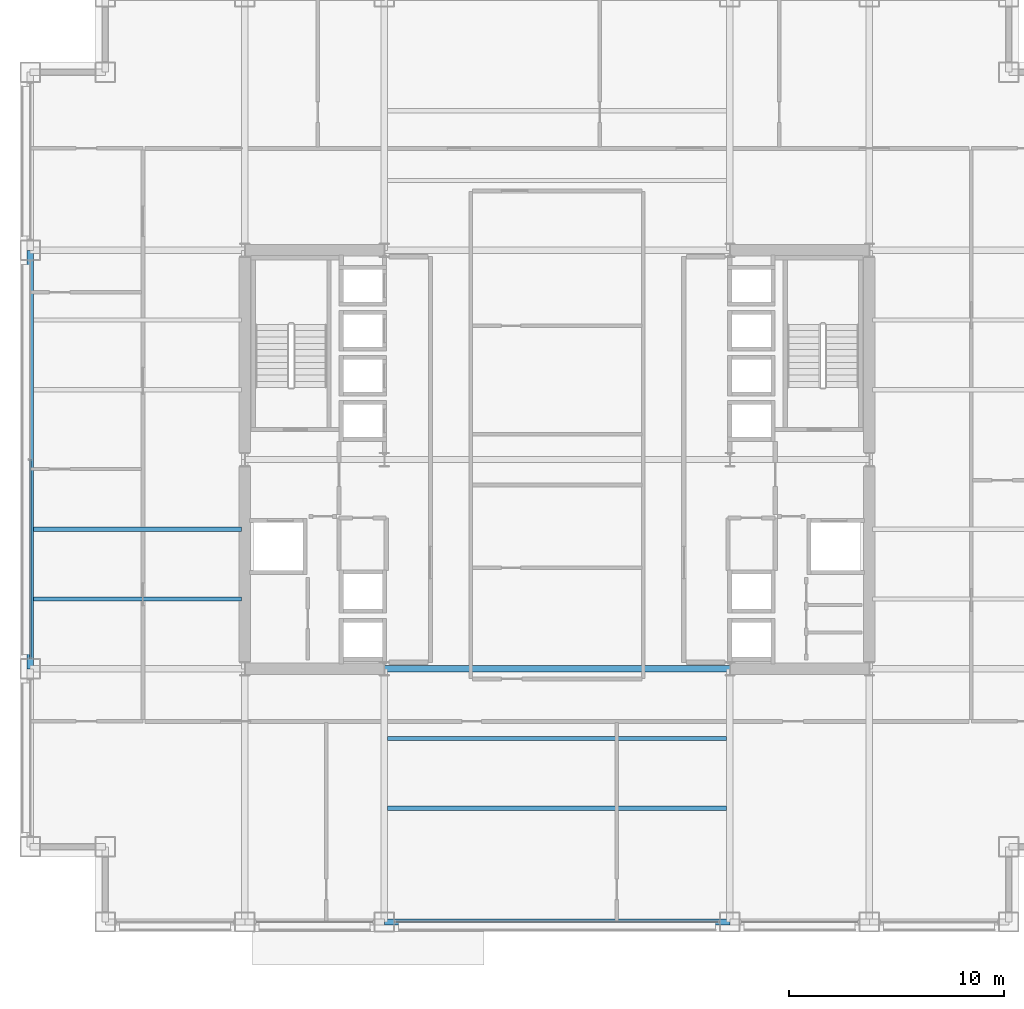
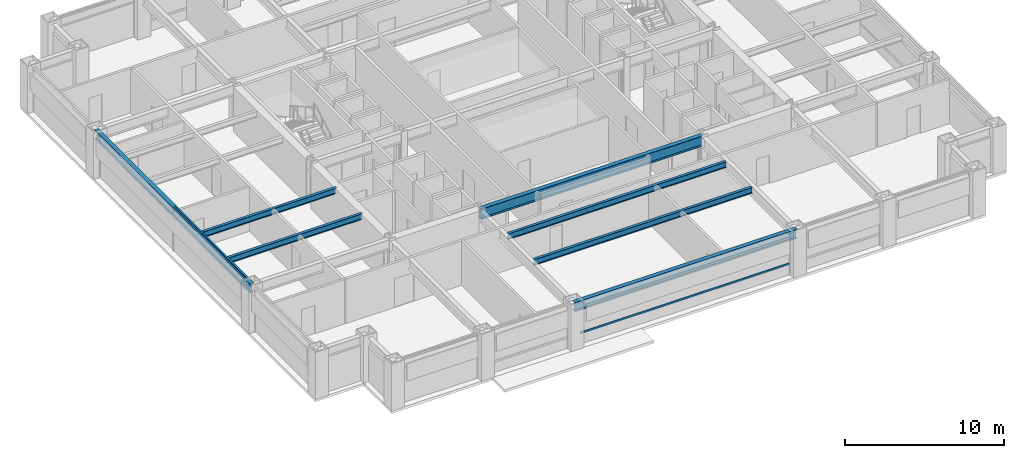
# One storey, part 6 of 28: 7 beams, 2 members, 2 elements without a shape of their own.
"""IFC4 building model written with IfcOpenShell, lengths in metres."""

import ifcopenshell
import ifcopenshell.guid

model = None  # the IFC model being written
_history = None  # IfcOwnerHistory: only IFC2X3 demands one
_inside = {}  # id of a spatial element -> (the spatial element, [elements in it])
_under = {}  # id of a project, library or spatial element -> (it, [spatial elements below it])
_declared = {}  # id of a project -> (the project, [libraries it declares])
_typed = {}  # id of a type object -> (the type object, [elements of that type])
_made_of = {}  # id of a material, layer set ... -> (it, [elements and type objects made of it])


def new_model(schema):
    """Start an empty IFC model of exactly this schema.

    Asked for "IFC4X3", IfcOpenShell would pick the latest addendum, in which some entities
    have other attributes; the version numbers below select the first issue.
    IFC2X3 requires an IfcOwnerHistory on every rooted entity: one is made here for all.
    """
    global model, _history
    if schema == "IFC4X3":
        model = ifcopenshell.file(schema_version=(4, 3, 0, 0))
    else:
        model = ifcopenshell.file(schema=schema)
    _inside.clear()
    _under.clear()
    _declared.clear()
    _typed.clear()
    _made_of.clear()
    _history = None
    if model.schema == "IFC2X3":
        org = make("IfcOrganization", Name="unknown")
        user = make(
            "IfcPersonAndOrganization",
            ThePerson=make("IfcPerson", FamilyName="unknown"),
            TheOrganization=org,
        )
        app = make(
            "IfcApplication",
            ApplicationDeveloper=org,
            Version="unknown",
            ApplicationFullName="unknown",
            ApplicationIdentifier="unknown",
        )
        _history = make(
            "IfcOwnerHistory",
            OwningUser=user,
            OwningApplication=app,
            ChangeAction="ADDED",
            CreationDate=0,
        )
    return model


def make(cls, **values):
    """One entity of the class cls with the attributes given. An attribute that is None is left unset."""
    return model.create_entity(
        cls, **{name: value for name, value in values.items() if value is not None}
    )


def rooted(cls, **values):
    """An entity with a GlobalId (a new one), such as an element, a storey or a relation."""
    return make(cls, GlobalId=ifcopenshell.guid.new(), OwnerHistory=_history, **values)


def si_unit(unit_type, name, prefix=None):
    """IfcSIUnit, for example si_unit("LENGTHUNIT", "METRE", prefix="MILLI")."""
    return make("IfcSIUnit", UnitType=unit_type, Prefix=prefix, Name=name)


def assignment(units):
    """IfcUnitAssignment: the units of a project."""
    return None if units is None else make("IfcUnitAssignment", Units=units)


def point(xyz):
    """IfcCartesianPoint."""
    return None if xyz is None else make("IfcCartesianPoint", Coordinates=xyz)


def direction(xyz):
    """IfcDirection."""
    return None if xyz is None else make("IfcDirection", DirectionRatios=xyz)


def frame(location, z_axis=None, x_axis=None):
    """IfcAxis2Placement3D, a coordinate frame: its origin and axes. An axis left out is left unset."""
    return make(
        "IfcAxis2Placement3D",
        Location=point(location),
        Axis=direction(z_axis),
        RefDirection=direction(x_axis),
    )


def frame_2d(location, x_axis=None):
    """IfcAxis2Placement2D, a coordinate frame in the plane: its origin and x axis."""
    return make(
        "IfcAxis2Placement2D", Location=point(location), RefDirection=direction(x_axis)
    )


def origin():
    """The frame at (0, 0, 0) with its axes left unset."""
    return frame((0.0, 0.0, 0.0))


def origin_2d():
    """The frame at (0, 0) in the plane with its x axis left unset."""
    return frame_2d((0.0, 0.0))


def place(relative_to, where):
    """IfcLocalPlacement: puts the frame where relative to a parent placement (None: the world)."""
    return make(
        "IfcLocalPlacement", PlacementRelTo=relative_to, RelativePlacement=where
    )


def context(
    kind, dimensions, precision=None, world=None, true_north=None, identifier=None
):
    """IfcGeometricRepresentationContext, for example the 3D "Model" context."""
    return make(
        "IfcGeometricRepresentationContext",
        ContextIdentifier=identifier,
        ContextType=kind,
        CoordinateSpaceDimension=dimensions,
        Precision=precision,
        WorldCoordinateSystem=world,
        TrueNorth=true_north,
    )


def subcontext(parent, identifier, kind, view, scale=None):
    """IfcGeometricRepresentationSubContext, for example "Body" below "Model"."""
    return make(
        "IfcGeometricRepresentationSubContext",
        ContextIdentifier=identifier,
        ContextType=kind,
        ParentContext=parent,
        TargetScale=scale,
        TargetView=view,
    )


def project(units=None, contexts=None):
    """IfcProject with its units and contexts."""
    return rooted(
        "IfcProject",
        Name="project",
        RepresentationContexts=contexts,
        UnitsInContext=assignment(units),
    )


def spatial(cls, under=None, at=None, **own):
    """A site, building, storey or space (cls), placed at a placement, below another one or the project."""
    s = rooted(cls, ObjectPlacement=at, **own)
    if under is not None:
        _under.setdefault(under.id(), (under, []))[1].append(s)
    return s


def profile(cls, at=None, kind="AREA", **sizes):
    """A parametric profile (cls). Its sizes go by their IFC names, for example OverallWidth=200.0."""
    return make(cls, ProfileType=kind, Position=at, **sizes)


def hollow_rectangle(**sizes):
    """IfcRectangleHollowProfileDef."""
    return profile("IfcRectangleHollowProfileDef", **sizes)


def i_section(**sizes):
    """IfcIShapeProfileDef."""
    return profile("IfcIShapeProfileDef", **sizes)


def extrude(swept, where, along, depth):
    """IfcExtrudedAreaSolid: the profile swept, set in the frame where, extruded along a direction by depth."""
    return make(
        "IfcExtrudedAreaSolid",
        SweptArea=swept,
        Position=where,
        ExtrudedDirection=direction(along),
        Depth=depth,
    )


def shape(context_of_items, identifier, shape_type, items):
    """IfcShapeRepresentation: the items that make up one representation, for example the "Body"."""
    return make(
        "IfcShapeRepresentation",
        ContextOfItems=context_of_items,
        RepresentationIdentifier=identifier,
        RepresentationType=shape_type,
        Items=items,
    )


def material(Name=None, Category=None):
    """IfcMaterial."""
    return make("IfcMaterial", Name=Name, Category=Category)


def layer(
    of_material, thickness, ventilated=None, Name=None, Category=None, Priority=None
):
    """IfcMaterialLayer: one layer of a wall or slab, of a material (None: an air gap)."""
    return make(
        "IfcMaterialLayer",
        Material=of_material,
        LayerThickness=thickness,
        IsVentilated=ventilated,
        Name=Name,
        Category=Category,
        Priority=Priority,
    )


def layer_set(layers, Name=None):
    """IfcMaterialLayerSet."""
    return make("IfcMaterialLayerSet", MaterialLayers=layers, LayerSetName=Name)


def material_profile(
    of_material, cross_section, Name=None, Category=None, Priority=None
):
    """IfcMaterialProfile: a cross section and its material."""
    return make(
        "IfcMaterialProfile",
        Name=Name,
        Material=of_material,
        Profile=cross_section,
        Priority=Priority,
        Category=Category,
    )


def profile_set(profiles, Name=None, composite=None):
    """IfcMaterialProfileSet."""
    return make(
        "IfcMaterialProfileSet",
        Name=Name,
        MaterialProfiles=profiles,
        CompositeProfile=composite,
    )


def made_of(thing, what):
    """Note that an element or type object is made of a material, layer set ...; save() writes the relation."""
    if what is not None:
        _made_of.setdefault(what.id(), (what, []))[1].append(thing)
    return thing


def type_object(cls, material=None, **own):
    """A type object (cls), such as IfcWallType, which elements share."""
    return made_of(rooted(cls, **own), material)


def element(
    cls,
    number,
    at=None,
    inside=None,
    cuts=None,
    type_object=None,
    material=None,
    context=None,
    identifier="Body",
    shape_type=None,
    held_by="IfcProductDefinitionShape",
    body=None,
    shapes=None,
    **own,
):
    """One element of the class cls, such as IfcWall. Its Tag is "e" and its number.

    at: its placement. inside: the storey or other place that contains it. cuts: it is an
    opening in that element (IfcRelVoidsElement). A single representation is given by context,
    identifier, shape_type and body (its items); several are given by shapes. held_by: the class
    of the entity that holds the representations. save() writes the other relations.
    """
    e = rooted(cls, Tag="e%d" % number, ObjectPlacement=at, **own)
    if body is not None:
        shapes = [shape(context, identifier, shape_type, body)]
    if shapes is not None:
        e.Representation = make(held_by, Representations=shapes)
    if inside is not None:
        _inside.setdefault(inside.id(), (inside, []))[1].append(e)
    if cuts is not None:
        rooted(
            "IfcRelVoidsElement", RelatingBuildingElement=cuts, RelatedOpeningElement=e
        )
    if type_object is not None:
        _typed.setdefault(type_object.id(), (type_object, []))[1].append(e)
    return made_of(e, material)


def aggregate(whole, parts):
    """IfcRelAggregates: a whole, such as a stair, and the parts it consists of."""
    return rooted("IfcRelAggregates", RelatingObject=whole, RelatedObjects=parts)


def save(model, path):
    """Write the relations noted so far, then the file.

    IfcRelAggregates (storeys below a building ...), IfcRelContainedInSpatialStructure (elements
    in a storey), IfcRelDefinesByType, IfcRelAssociatesMaterial and IfcRelDeclares: one each for
    every whole, place, type object, material and project.
    """
    for whole, parts in _under.values():
        aggregate(whole, parts)
    for where, things in _inside.values():
        rooted(
            "IfcRelContainedInSpatialStructure",
            RelatedElements=things,
            RelatingStructure=where,
        )
    for kind, things in _typed.values():
        rooted("IfcRelDefinesByType", RelatedObjects=things, RelatingType=kind)
    for what, things in _made_of.values():
        rooted("IfcRelAssociatesMaterial", RelatedObjects=things, RelatingMaterial=what)
    for by, libraries in _declared.values():
        rooted("IfcRelDeclares", RelatingContext=by, RelatedDefinitions=libraries)
    model.write(path)


model = new_model("IFC4")

# Units and contexts
model_context = context("Model", 3, precision=1e-05, world=origin(), true_north=direction((0.0, 1.0)))
body_context = subcontext(model_context, "Body", "Model", "MODEL_VIEW")
ifc_project = project(units=[si_unit("LENGTHUNIT", "METRE"), si_unit("AREAUNIT", "SQUARE_METRE"), si_unit("VOLUMEUNIT", "CUBIC_METRE"), si_unit("PLANEANGLEUNIT", "RADIAN"), si_unit("MASSUNIT", "GRAM", prefix="KILO")], contexts=[model_context])

# Site, building, storey
site_placement = place(None, origin())
site = spatial("IfcSite", under=ifc_project, at=site_placement, CompositionType="ELEMENT")
building_placement = place(site_placement, origin())
building = spatial("IfcBuilding", under=site, at=building_placement, Name="Brelmoor Portico Tower", CompositionType="ELEMENT")
storey_placement = place(building_placement, frame((0.0, 0.0, 49.199951171875)))
storey = spatial("IfcBuildingStorey", under=building, at=storey_placement, Name="L12", CompositionType="ELEMENT", Elevation=49.199951171875)

# Beams
ifc_material_1 = material(Name="Steel Q355B", Category="steel")
ifc_material_profile_1 = material_profile(ifc_material_1, i_section(OverallWidth=0.199951171875, OverallDepth=0.449951171875, WebThickness=0.009033203125, FlangeThickness=0.013916015625, at=origin_2d()), Name="HN 450x200x9x14")
ifc_profile_set_1 = profile_set([ifc_material_profile_1], Name="Steel Q355B")
beam_type_1 = type_object("IfcBeamType", Name="BM-JS-450", PredefinedType="JOIST", material=ifc_profile_set_1)
for number, where, z_axis, x_axis, name in (
    (1, (-7.89990234375, -16.25, 3.175048828125), (1.0, 0.0, 0.0), (0.0, 1.0, 0.0), "L12 Secondary Composite Joist JS-C01"),
    (2, (-7.89990234375, -13.0, 3.175048828125), (1.0, 0.0, 0.0), (0.0, 1.0, 0.0), "L12 Secondary Composite Joist JS-C02"),
):
    element("IfcBeam", number, at=place(storey_placement, frame(where, z_axis=z_axis, x_axis=x_axis)), inside=storey, type_object=beam_type_1, Name=name, PredefinedType="JOIST", context=body_context, shape_type="SweptSolid", body=[
        extrude(i_section(OverallWidth=0.199951171875, OverallDepth=0.449951171875, WebThickness=0.009033203125, FlangeThickness=0.013916015625, at=origin_2d()), origin(), (0.0, 0.0, 1.0), 15.7998046875),
    ])
for number, where, z_axis, x_axis, name in (
    (3, (-24.39990234375, -6.5, 3.175048828125), (1.0, 0.0, 0.0), (0.0, 1.0, 0.0), "L12 Secondary Wing Joist JS-W05"),
    (4, (-24.39990234375, -3.25, 3.175048828125), (1.0, 0.0, 0.0), (0.0, 1.0, 0.0), "L12 Secondary Wing Joist JS-W06"),
):
    element("IfcBeam", number, at=place(storey_placement, frame(where, z_axis=z_axis, x_axis=x_axis)), inside=storey, type_object=beam_type_1, Name=name, PredefinedType="JOIST", context=body_context, shape_type="SweptSolid", body=[
        extrude(i_section(OverallWidth=0.199951171875, OverallDepth=0.449951171875, WebThickness=0.009033203125, FlangeThickness=0.013916015625, at=origin_2d()), origin(), (0.0, 0.0, 1.0), 9.699951171875),
    ])
ifc_material_profile_2 = material_profile(ifc_material_1, i_section(OverallWidth=0.300048828125, OverallDepth=0.800048828125, WebThickness=0.013916015625, FlangeThickness=0.02587890625, at=origin_2d()), Name="HN 800x300x14x26")
ifc_profile_set_2 = profile_set([ifc_material_profile_2], Name="Steel Q355B")
beam_type_2 = type_object("IfcBeamType", Name="BM-PG-800", PredefinedType="BEAM", material=ifc_profile_set_2)
beam_1_placement = place(storey_placement, frame((-8.050048828125, -9.75, 3.0), z_axis=(1.0, 0.0, 0.0), x_axis=(0.0, 1.0, 0.0)))
element("IfcBeam", 5, at=beam_1_placement, inside=storey, type_object=beam_type_2, Name="L12 Primary Floor Girder PG-21", PredefinedType="BEAM", context=body_context, shape_type="SweptSolid", body=[
    extrude(i_section(OverallWidth=0.300048828125, OverallDepth=0.800048828125, WebThickness=0.013916015625, FlangeThickness=0.02587890625, at=origin_2d()), origin(), (0.0, 0.0, 1.0), 16.10009765625),
])
ifc_material_profile_3 = material_profile(ifc_material_1, i_section(OverallWidth=0.300048828125, OverallDepth=0.699951171875, WebThickness=0.012939453125, FlangeThickness=0.02392578125, at=origin_2d()), Name="HN 700x300x13x24")
ifc_profile_set_3 = profile_set([ifc_material_profile_3], Name="Steel Q355B")
beam_type_3 = type_object("IfcBeamType", Name="BM-SP-700", PredefinedType="SPANDREL", material=ifc_profile_set_3)
beam_2_placement = place(storey_placement, frame((-8.050048828125, -21.550048828125, 3.050048828125), z_axis=(1.0, 0.0, 0.0), x_axis=(0.0, 1.0, 0.0)))
element("IfcBeam", 6, at=beam_2_placement, inside=storey, type_object=beam_type_3, Name="L12 Perimeter Spandrel Beam SP-03", PredefinedType="SPANDREL", context=body_context, shape_type="SweptSolid", body=[
    extrude(i_section(OverallWidth=0.300048828125, OverallDepth=0.699951171875, WebThickness=0.012939453125, FlangeThickness=0.02392578125, at=origin_2d()), origin(), (0.0, 0.0, 1.0), 16.10009765625),
])
beam_3_placement = place(storey_placement, frame((-24.550048828125, -9.75, 3.050048828125), z_axis=(0.0, 1.0, 0.0), x_axis=(-1.0, 0.0, 0.0)))
element("IfcBeam", 7, at=beam_3_placement, inside=storey, type_object=beam_type_3, Name="L12 Perimeter Spandrel Beam SP-16", PredefinedType="SPANDREL", context=body_context, shape_type="SweptSolid", body=[
    extrude(i_section(OverallWidth=0.300048828125, OverallDepth=0.699951171875, WebThickness=0.012939453125, FlangeThickness=0.02392578125, at=origin_2d()), origin(), (0.0, 0.0, 1.0), 19.5),
])

# Curtain wall, member
ifc_material_2 = material(Name="Anodised Aluminium Alloy 6063-T6", Category="aluminium")
ifc_layer_1 = layer(ifc_material_2, 0.179931640625)
ifc_layer_set_1 = layer_set([ifc_layer_1], Name="Anodised Aluminium Alloy 6063-T6")
curtain_wall_type_1 = type_object("IfcCurtainWallType", Name="CW-TOWER-Z1", PredefinedType="NOTDEFINED", material=ifc_layer_set_1)
curtain_wall_1_placement = place(storey_placement, origin())
curtain_wall_1 = element("IfcCurtainWall", 8, at=curtain_wall_1_placement, inside=storey, type_object=curtain_wall_type_1, Name="L12 Curtain Wall CW-L12-01-3", PredefinedType="NOTDEFINED")
ifc_material_profile_4 = material_profile(ifc_material_2, hollow_rectangle(XDim=0.06494140625, YDim=0.139892578125, WallThickness=0.00390625, at=origin_2d()), Name="ALU TRANSOM 65x140")
ifc_profile_set_4 = profile_set([ifc_material_profile_4], Name="Anodised Aluminium Alloy 6063-T6")
member_type = type_object("IfcMemberType", Name="MB-CW-TRAN-140", PredefinedType="USERDEFINED", material=ifc_profile_set_4)
member_1_placement = place(storey_placement, frame((-7.56494140625, -21.550048828125, 0.85009765625), z_axis=(1.0, 0.0, 0.0), x_axis=(0.0, 1.0, 0.0)))
member_1 = element("IfcMember", 9, at=member_1_placement, type_object=member_type, Name="CW-L12-01-3 Transom 1-00", ObjectType="TRANSOM", PredefinedType="USERDEFINED", context=body_context, shape_type="SweptSolid", body=[
    extrude(hollow_rectangle(XDim=0.06494140625, YDim=0.139892578125, WallThickness=0.00390625, at=origin_2d()), origin(), (0.0, 0.0, 1.0), 15.1298828125),
])
aggregate(curtain_wall_1, [member_1])

ifc_layer_2 = layer(ifc_material_2, 0.179931640625)
ifc_layer_set_2 = layer_set([ifc_layer_2], Name="Anodised Aluminium Alloy 6063-T6")
curtain_wall_type_2 = type_object("IfcCurtainWallType", Name="CW-TOWER-Z1-XB", PredefinedType="NOTDEFINED", material=ifc_layer_set_2)
curtain_wall_2_placement = place(storey_placement, origin())
curtain_wall_2 = element("IfcCurtainWall", 10, at=curtain_wall_2_placement, inside=storey, type_object=curtain_wall_type_2, Name="L12 Curtain Wall CW-L12-03-2", PredefinedType="NOTDEFINED")
member_2_placement = place(storey_placement, frame((-24.550048828125, -9.264892578125, 3.330078125), z_axis=(0.0, 1.0, 0.0), x_axis=(-1.0, 0.0, 0.0)))
member_2 = element("IfcMember", 11, at=member_2_placement, type_object=member_type, Name="CW-L12-03-2 Transom 1-00", ObjectType="TRANSOM", PredefinedType="USERDEFINED", context=body_context, shape_type="SweptSolid", body=[
    extrude(hollow_rectangle(XDim=0.06494140625, YDim=0.139892578125, WallThickness=0.00390625, at=origin_2d()), origin(), (0.0, 0.0, 1.0), 9.264892578125),
])
aggregate(curtain_wall_2, [member_2])

save(model, "model.ifc")
